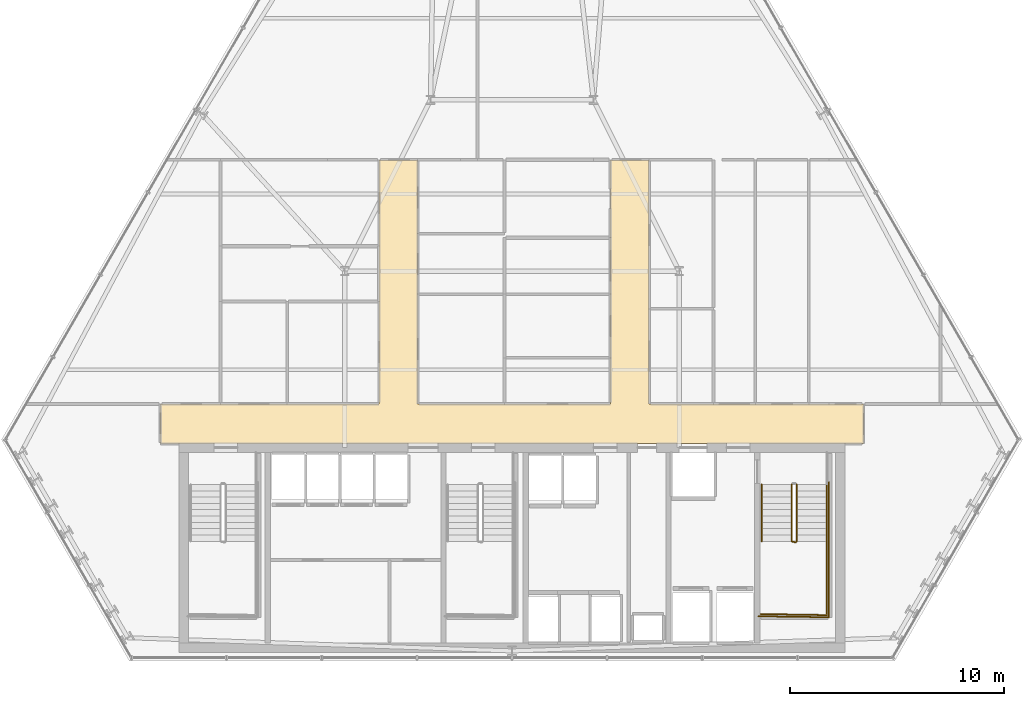
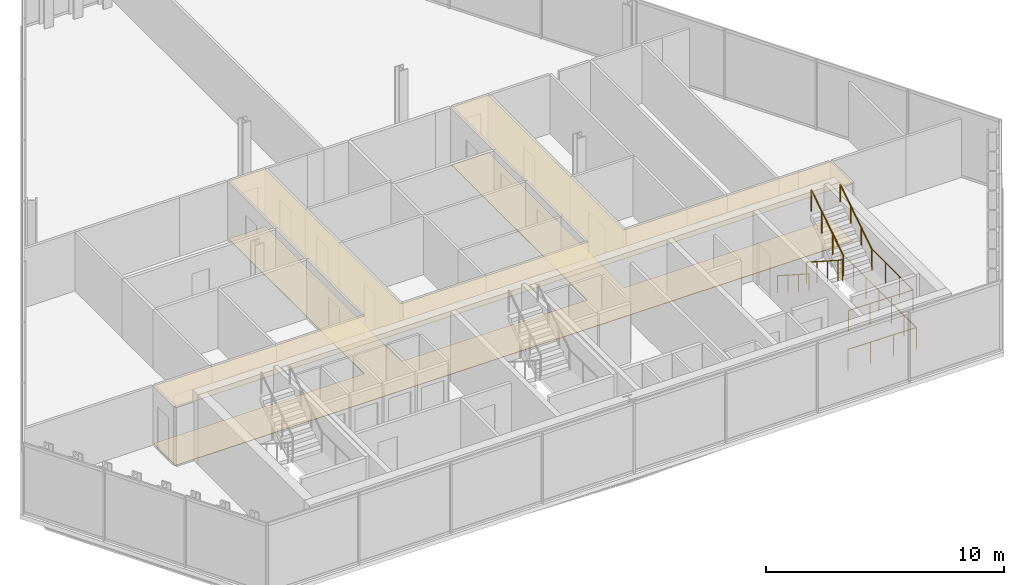
# One storey, part 30 of 31: 6 railings, 2 coverings.
"""IFC4 building model written with IfcOpenShell, lengths in metres."""

from ifc_helpers import new_model, si_unit, direction, frame, origin, origin_2d, place, context, subcontext, project, spatial, polyline, circle, outline, extrude, material, layer, layer_set, type_object, element, save


model = new_model("IFC4")

# Units and contexts
model_context = context("Model", 3, precision=1e-05, world=origin(), true_north=direction((0.0, 1.0)))
body_context = subcontext(model_context, "Body", "Model", "MODEL_VIEW")
ifc_project = project(units=[si_unit("LENGTHUNIT", "METRE"), si_unit("AREAUNIT", "SQUARE_METRE"), si_unit("VOLUMEUNIT", "CUBIC_METRE"), si_unit("PLANEANGLEUNIT", "RADIAN"), si_unit("MASSUNIT", "GRAM", prefix="KILO")], contexts=[model_context])

# Site, building, storey
site_placement = place(None, origin())
site = spatial("IfcSite", under=ifc_project, at=site_placement, CompositionType="ELEMENT")
building_placement = place(site_placement, origin())
building = spatial("IfcBuilding", under=site, at=building_placement, Name="Ndaravel Arena Tower", CompositionType="ELEMENT")
storey_placement = place(building_placement, frame((0.0, 0.0, 142.199951171875)))
storey = spatial("IfcBuildingStorey", under=building, at=storey_placement, Name="L33", CompositionType="ELEMENT", Elevation=142.199951171875)

# Coverings
ifc_material_1 = material(Name="Acoustic Ceiling Tile", Category="finish")
ifc_layer_1 = layer(ifc_material_1, 0.02490234375)
ifc_layer_set_1 = layer_set([ifc_layer_1], Name="Acoustic Ceiling Tile")
covering_type_1 = type_object("IfcCoveringType", Name="COV-CEIL-AC600", PredefinedType="CEILING", material=ifc_layer_set_1)
covering_1_placement = place(storey_placement, frame((0.0, 0.0, 2.98046875)))
element("IfcCovering", 1, at=covering_1_placement, inside=storey, type_object=covering_type_1, Name="L33 Corridor Acoustic Ceiling", PredefinedType="CEILING", context=body_context, shape_type="SweptSolid", body=[
    extrude(outline(polyline([(58.39990234375, 17.0), (48.39990234375, 17.0), (48.39990234375, 28.39990234375), (46.60009765625, 28.39990234375), (46.60009765625, 17.0), (37.60009765625, 17.0), (37.60009765625, 28.39990234375), (35.800048828125, 28.39990234375), (35.800048828125, 17.0), (25.60009765625, 17.0), (25.60009765625, 15.14990234375), (58.39990234375, 15.14990234375), (58.39990234375, 17.0)])), origin(), (0.0, 0.0, 1.0), 0.025146484375),
])
ifc_material_2 = material(Name="Terrazzo", Category="stone")
ifc_layer_2 = layer(ifc_material_2, 0.030029296875)
ifc_layer_set_2 = layer_set([ifc_layer_2], Name="Terrazzo")
covering_type_2 = type_object("IfcCoveringType", Name="COV-FLOOR-TERRAZZO", PredefinedType="FLOORING", material=ifc_layer_set_2)
covering_2_placement = place(storey_placement, origin())
element("IfcCovering", 2, at=covering_2_placement, inside=storey, type_object=covering_type_2, Name="L33 Corridor Terrazzo Flooring", PredefinedType="FLOORING", context=body_context, shape_type="SweptSolid", body=[
    extrude(outline(polyline([(58.39990234375, 17.0), (48.39990234375, 17.0), (48.39990234375, 28.39990234375), (46.60009765625, 28.39990234375), (46.60009765625, 17.0), (37.60009765625, 17.0), (37.60009765625, 28.39990234375), (35.800048828125, 28.39990234375), (35.800048828125, 17.0), (25.60009765625, 17.0), (25.60009765625, 15.14990234375), (58.39990234375, 15.14990234375), (58.39990234375, 17.0)])), origin(), (0.0, 0.0, 1.0), 0.030029296875),
])

# Railings
ifc_material_3 = material(Name="Steel S355", Category="steel")
ifc_layer_3 = layer(ifc_material_3, 0.06005859375)
ifc_layer_set_3 = layer_set([ifc_layer_3], Name="Steel S355")
railing_type_1 = type_object("IfcRailingType", Name="RAIL-STAIR-GD1100", PredefinedType="GUARDRAIL", material=ifc_layer_set_3)
railing_1_placement = place(storey_placement, frame((55.050048828125, 13.25, 0.18994140625)))
element("IfcRailing", 3, at=railing_1_placement, inside=storey, type_object=railing_type_1, Name="L33 ST-3 stair guard 1", PredefinedType="GUARDRAIL", context=body_context, shape_type="SweptSolid", body=[
    extrude(circle(Radius=0.02392578125, at=origin_2d()), frame((0.0, 0.0, 1.076171875), z_axis=(0.0, -0.840688348013, 0.541519253134), x_axis=(1.0, 0.0, 0.0)), (0.0, 0.0, 1.0), 3.158203125),
    extrude(circle(Radius=0.02392578125, at=origin_2d()), frame((0.0, -2.655029296875, 2.7861328125), z_axis=(0.966993988697, -0.254799187253, 0.0), x_axis=(0.254799187253, 0.966993988697, 0.0)), (0.0, 0.0, 1.0), 0.196533203125),
    extrude(circle(Radius=0.02099609375, at=origin_2d()), origin(), (0.0, 0.0, 1.0), 1.052001953125),
    extrude(circle(Radius=0.02099609375, at=origin_2d()), frame((0.0, -0.885009765625, 0.570068359375)), (0.0, 0.0, 1.0), 1.052001953125),
    extrude(circle(Radius=0.02099609375, at=origin_2d()), frame((0.0, -1.77001953125, 1.14013671875)), (0.0, 0.0, 1.0), 1.052001953125),
    extrude(circle(Radius=0.02099609375, at=origin_2d()), frame((0.0, -2.655029296875, 1.710205078125)), (0.0, 0.0, 1.0), 1.052001953125),
    extrude(circle(Radius=0.02099609375, at=origin_2d()), frame((0.18994140625, -2.705078125, 1.710205078125)), (0.0, 0.0, 1.0), 1.052001953125),
])
railing_2_placement = place(storey_placement, frame((56.68994140625, 10.594970703125, 1.900146484375)))
element("IfcRailing", 4, at=railing_2_placement, inside=storey, type_object=railing_type_1, Name="L33 ST-3 stair guard 2", PredefinedType="GUARDRAIL", context=body_context, shape_type="SweptSolid", body=[
    extrude(circle(Radius=0.02392578125, at=origin_2d()), frame((0.0, 0.0, 1.076171875), z_axis=(0.0, -1.0, 0.0), x_axis=(1.0, 0.0, 0.0)), (0.0, 0.0, 1.0), 3.445068359375),
    extrude(circle(Radius=0.02392578125, at=origin_2d()), frame((0.0, -3.445068359375, 1.076171875), z_axis=(-0.999868840623, 0.016195726322, 0.0), x_axis=(-0.016195726322, -0.999868840623, 0.0)), (0.0, 0.0, 1.0), 3.09033203125),
    extrude(circle(Radius=0.02099609375, at=origin_2d()), origin(), (0.0, 0.0, 1.0), 1.052001953125),
    extrude(circle(Radius=0.02099609375, at=origin_2d()), frame((0.0, -1.1484375, 0.0)), (0.0, 0.0, 1.0), 1.052001953125),
    extrude(circle(Radius=0.02099609375, at=origin_2d()), frame((0.0, -2.296630859375, 0.0)), (0.0, 0.0, 1.0), 1.052001953125),
    extrude(circle(Radius=0.02099609375, at=origin_2d()), frame((0.0, -3.445068359375, 0.0)), (0.0, 0.0, 1.0), 1.052001953125),
    extrude(circle(Radius=0.02099609375, at=origin_2d()), frame((-1.030029296875, -3.428466796875, 0.0)), (0.0, 0.0, 1.0), 1.052001953125),
    extrude(circle(Radius=0.02099609375, at=origin_2d()), frame((-2.059814453125, -3.41162109375, 0.0)), (0.0, 0.0, 1.0), 1.052001953125),
    extrude(circle(Radius=0.02099609375, at=origin_2d()), frame((-3.08984375, -3.39501953125, 0.0)), (0.0, 0.0, 1.0), 1.052001953125),
])
railing_3_placement = place(storey_placement, frame((55.2900390625, 10.594970703125, 2.090087890625)))
element("IfcRailing", 5, at=railing_3_placement, inside=storey, type_object=railing_type_1, Name="L33 ST-3 stair guard 3", PredefinedType="GUARDRAIL", context=body_context, shape_type="SweptSolid", body=[
    extrude(circle(Radius=0.02392578125, at=origin_2d()), frame((0.0, 0.0, 1.076171875), z_axis=(0.0, 0.840723540582, 0.54146461409), x_axis=(-1.0, 0.0, 0.0)), (0.0, 0.0, 1.0), 3.157958984375),
    extrude(circle(Radius=0.02099609375, at=origin_2d()), origin(), (0.0, 0.0, 1.0), 1.052001953125),
    extrude(circle(Radius=0.02099609375, at=origin_2d()), frame((0.0, 0.885009765625, 0.570068359375)), (0.0, 0.0, 1.0), 1.052001953125),
    extrude(circle(Radius=0.02099609375, at=origin_2d()), frame((0.0, 1.77001953125, 1.139892578125)), (0.0, 0.0, 1.0), 1.052001953125),
    extrude(circle(Radius=0.02099609375, at=origin_2d()), frame((0.0, 2.655029296875, 1.7099609375)), (0.0, 0.0, 1.0), 1.052001953125),
])
railing_4_placement = place(storey_placement, frame((56.7900390625, 13.35009765625, 0.0)))
element("IfcRailing", 6, at=railing_4_placement, inside=storey, type_object=railing_type_1, Name="L33 ST-3 stair guard 6", PredefinedType="GUARDRAIL", context=body_context, shape_type="SweptSolid", body=[
    extrude(circle(Radius=0.02392578125, at=origin_2d()), frame((0.0, 0.0, 1.076171875), z_axis=(0.0, -1.0, 0.0), x_axis=(1.0, 0.0, 0.0)), (0.0, 0.0, 1.0), 6.300048828125),
    extrude(circle(Radius=0.02392578125, at=origin_2d()), frame((0.0, -6.300048828125, 1.076171875), z_axis=(-0.99988431412, 0.015210469308, 0.0), x_axis=(-0.015210469308, -0.99988431412, 0.0)), (0.0, 0.0, 1.0), 3.29052734375),
    extrude(circle(Radius=0.02099609375, at=origin_2d()), origin(), (0.0, 0.0, 1.0), 1.052001953125),
    extrude(circle(Radius=0.02099609375, at=origin_2d()), frame((0.0, -1.050048828125, 0.0)), (0.0, 0.0, 1.0), 1.052001953125),
    extrude(circle(Radius=0.02099609375, at=origin_2d()), frame((0.0, -2.10009765625, 0.0)), (0.0, 0.0, 1.0), 1.052001953125),
    extrude(circle(Radius=0.02099609375, at=origin_2d()), frame((0.0, -3.14990234375, 0.0)), (0.0, 0.0, 1.0), 1.052001953125),
    extrude(circle(Radius=0.02099609375, at=origin_2d()), frame((0.0, -4.199951171875, 0.0)), (0.0, 0.0, 1.0), 1.052001953125),
    extrude(circle(Radius=0.02099609375, at=origin_2d()), frame((0.0, -5.25, 0.0)), (0.0, 0.0, 1.0), 1.052001953125),
    extrude(circle(Radius=0.02099609375, at=origin_2d()), frame((0.0, -6.300048828125, 0.0)), (0.0, 0.0, 1.0), 1.052001953125),
    extrude(circle(Radius=0.02099609375, at=origin_2d()), frame((-1.0966796875, -6.283447265625, 0.0)), (0.0, 0.0, 1.0), 1.052001953125),
    extrude(circle(Radius=0.02099609375, at=origin_2d()), frame((-2.193359375, -6.2666015625, 0.0)), (0.0, 0.0, 1.0), 1.052001953125),
    extrude(circle(Radius=0.02099609375, at=origin_2d()), frame((-3.2900390625, -6.25, 0.0)), (0.0, 0.0, 1.0), 1.052001953125),
])
ifc_material_4 = material(Name="Steel S355", Category="steel")
ifc_layer_4 = layer(ifc_material_4, 0.050048828125)
ifc_layer_set_4 = layer_set([ifc_layer_4], Name="Steel S355")
railing_type_2 = type_object("IfcRailingType", Name="RAIL-STAIR-HR920", PredefinedType="HANDRAIL", material=ifc_layer_set_4)
railing_5_placement = place(storey_placement, frame((53.64990234375, 13.25, 0.18994140625)))
element("IfcRailing", 7, at=railing_5_placement, inside=storey, type_object=railing_type_2, Name="L33 ST-3 stair handrail 1", PredefinedType="HANDRAIL", context=body_context, shape_type="SweptSolid", body=[
    extrude(circle(Radius=0.02392578125, at=origin_2d()), frame((0.0, 0.0, 0.8759765625), z_axis=(0.0, -0.840688348013, 0.541519253134), x_axis=(1.0, 0.0, 0.0)), (0.0, 0.0, 1.0), 3.158203125),
    extrude(circle(Radius=0.02099609375, at=origin_2d()), origin(), (0.0, 0.0, 1.0), 0.851806640625),
    extrude(circle(Radius=0.02099609375, at=origin_2d()), frame((0.0, -0.885009765625, 0.570068359375)), (0.0, 0.0, 1.0), 0.851806640625),
    extrude(circle(Radius=0.02099609375, at=origin_2d()), frame((0.0, -1.77001953125, 1.14013671875)), (0.0, 0.0, 1.0), 0.851806640625),
    extrude(circle(Radius=0.02099609375, at=origin_2d()), frame((0.0, -2.655029296875, 1.710205078125)), (0.0, 0.0, 1.0), 0.851806640625),
])
railing_6_placement = place(storey_placement, frame((56.68994140625, 10.594970703125, 2.090087890625)))
element("IfcRailing", 8, at=railing_6_placement, inside=storey, type_object=railing_type_2, Name="L33 ST-3 stair handrail 2", PredefinedType="HANDRAIL", context=body_context, shape_type="SweptSolid", body=[
    extrude(circle(Radius=0.02392578125, at=origin_2d()), frame((0.0, 0.0, 0.8759765625), z_axis=(0.0, 0.840723540582, 0.54146461409), x_axis=(-1.0, 0.0, 0.0)), (0.0, 0.0, 1.0), 3.157958984375),
    extrude(circle(Radius=0.02099609375, at=origin_2d()), origin(), (0.0, 0.0, 1.0), 0.851806640625),
    extrude(circle(Radius=0.02099609375, at=origin_2d()), frame((0.0, 0.885009765625, 0.570068359375)), (0.0, 0.0, 1.0), 0.851806640625),
    extrude(circle(Radius=0.02099609375, at=origin_2d()), frame((0.0, 1.77001953125, 1.139892578125)), (0.0, 0.0, 1.0), 0.851806640625),
    extrude(circle(Radius=0.02099609375, at=origin_2d()), frame((0.0, 2.655029296875, 1.7099609375)), (0.0, 0.0, 1.0), 0.851806640625),
])

save(model, "model.ifc")
